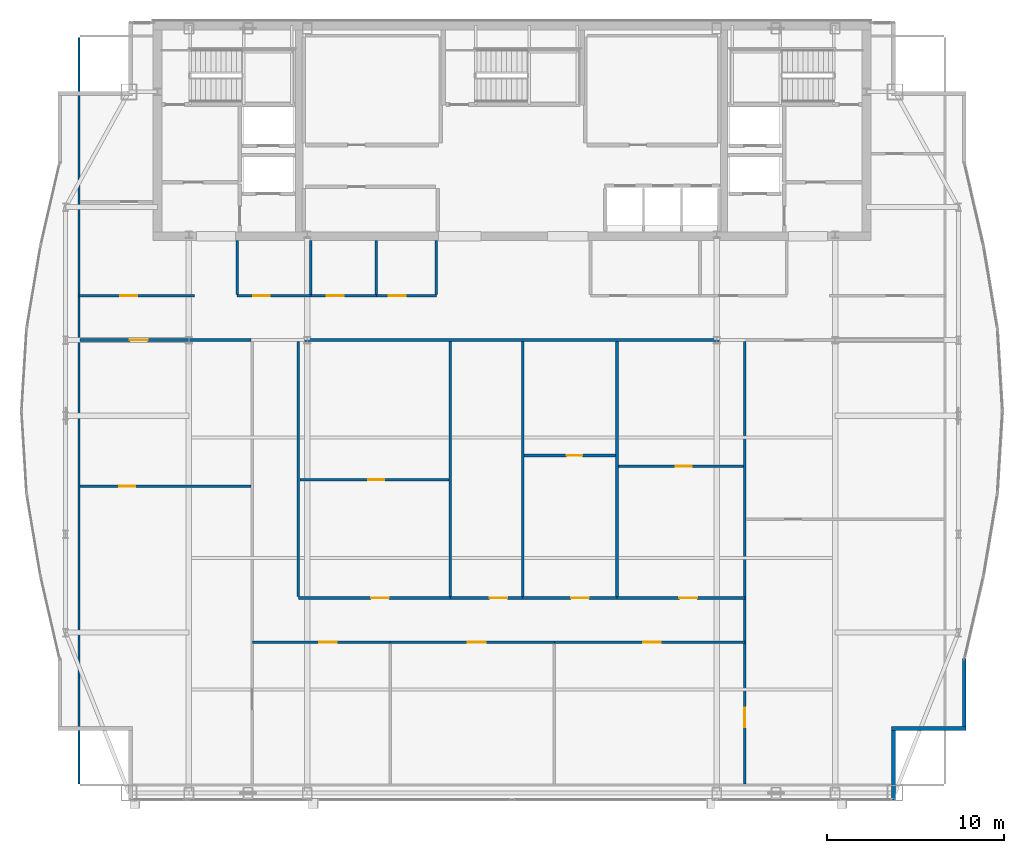
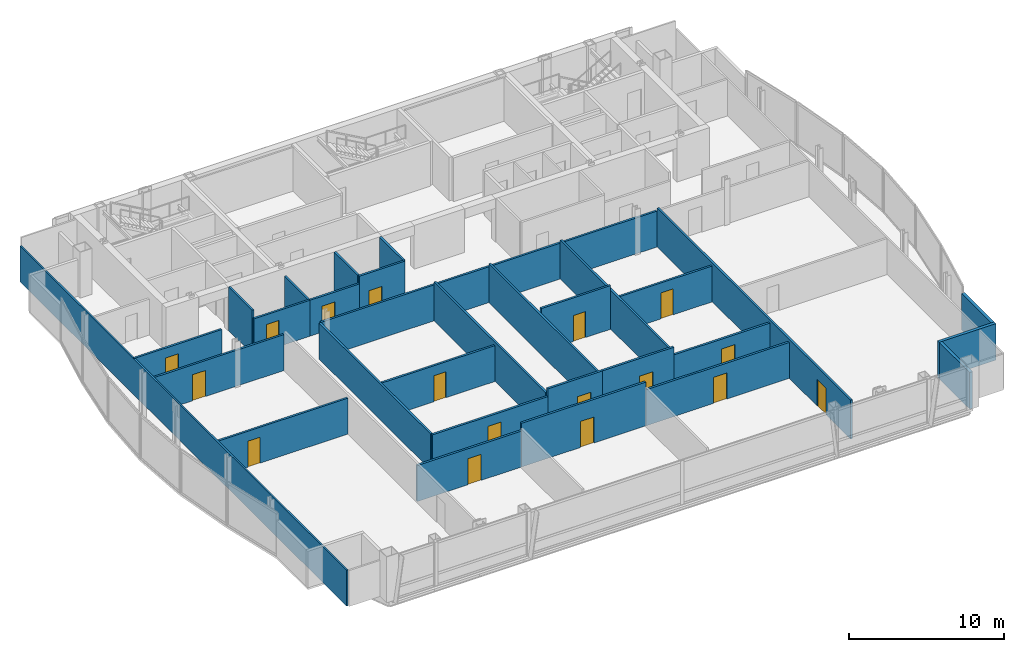
# One storey, part 24 of 29: 30 walls, 17 doors, 17 openings.
"""IFC4 building model written with IfcOpenShell, lengths in metres."""

import ifcopenshell
import ifcopenshell.guid

model = None  # the IFC model being written
_history = None  # IfcOwnerHistory: only IFC2X3 demands one
_inside = {}  # id of a spatial element -> (the spatial element, [elements in it])
_under = {}  # id of a project, library or spatial element -> (it, [spatial elements below it])
_declared = {}  # id of a project -> (the project, [libraries it declares])
_typed = {}  # id of a type object -> (the type object, [elements of that type])
_made_of = {}  # id of a material, layer set ... -> (it, [elements and type objects made of it])


def new_model(schema):
    """Start an empty IFC model of exactly this schema.

    Asked for "IFC4X3", IfcOpenShell would pick the latest addendum, in which some entities
    have other attributes; the version numbers below select the first issue.
    IFC2X3 requires an IfcOwnerHistory on every rooted entity: one is made here for all.
    """
    global model, _history
    if schema == "IFC4X3":
        model = ifcopenshell.file(schema_version=(4, 3, 0, 0))
    else:
        model = ifcopenshell.file(schema=schema)
    _inside.clear()
    _under.clear()
    _declared.clear()
    _typed.clear()
    _made_of.clear()
    _history = None
    if model.schema == "IFC2X3":
        org = make("IfcOrganization", Name="unknown")
        user = make(
            "IfcPersonAndOrganization",
            ThePerson=make("IfcPerson", FamilyName="unknown"),
            TheOrganization=org,
        )
        app = make(
            "IfcApplication",
            ApplicationDeveloper=org,
            Version="unknown",
            ApplicationFullName="unknown",
            ApplicationIdentifier="unknown",
        )
        _history = make(
            "IfcOwnerHistory",
            OwningUser=user,
            OwningApplication=app,
            ChangeAction="ADDED",
            CreationDate=0,
        )
    return model


def make(cls, **values):
    """One entity of the class cls with the attributes given. An attribute that is None is left unset."""
    return model.create_entity(
        cls, **{name: value for name, value in values.items() if value is not None}
    )


def rooted(cls, **values):
    """An entity with a GlobalId (a new one), such as an element, a storey or a relation."""
    return make(cls, GlobalId=ifcopenshell.guid.new(), OwnerHistory=_history, **values)


def si_unit(unit_type, name, prefix=None):
    """IfcSIUnit, for example si_unit("LENGTHUNIT", "METRE", prefix="MILLI")."""
    return make("IfcSIUnit", UnitType=unit_type, Prefix=prefix, Name=name)


def assignment(units):
    """IfcUnitAssignment: the units of a project."""
    return None if units is None else make("IfcUnitAssignment", Units=units)


def point(xyz):
    """IfcCartesianPoint."""
    return None if xyz is None else make("IfcCartesianPoint", Coordinates=xyz)


def direction(xyz):
    """IfcDirection."""
    return None if xyz is None else make("IfcDirection", DirectionRatios=xyz)


def frame(location, z_axis=None, x_axis=None):
    """IfcAxis2Placement3D, a coordinate frame: its origin and axes. An axis left out is left unset."""
    return make(
        "IfcAxis2Placement3D",
        Location=point(location),
        Axis=direction(z_axis),
        RefDirection=direction(x_axis),
    )


def frame_2d(location, x_axis=None):
    """IfcAxis2Placement2D, a coordinate frame in the plane: its origin and x axis."""
    return make(
        "IfcAxis2Placement2D", Location=point(location), RefDirection=direction(x_axis)
    )


def origin():
    """The frame at (0, 0, 0) with its axes left unset."""
    return frame((0.0, 0.0, 0.0))


def place(relative_to, where):
    """IfcLocalPlacement: puts the frame where relative to a parent placement (None: the world)."""
    return make(
        "IfcLocalPlacement", PlacementRelTo=relative_to, RelativePlacement=where
    )


def context(
    kind, dimensions, precision=None, world=None, true_north=None, identifier=None
):
    """IfcGeometricRepresentationContext, for example the 3D "Model" context."""
    return make(
        "IfcGeometricRepresentationContext",
        ContextIdentifier=identifier,
        ContextType=kind,
        CoordinateSpaceDimension=dimensions,
        Precision=precision,
        WorldCoordinateSystem=world,
        TrueNorth=true_north,
    )


def subcontext(parent, identifier, kind, view, scale=None):
    """IfcGeometricRepresentationSubContext, for example "Body" below "Model"."""
    return make(
        "IfcGeometricRepresentationSubContext",
        ContextIdentifier=identifier,
        ContextType=kind,
        ParentContext=parent,
        TargetScale=scale,
        TargetView=view,
    )


def project(units=None, contexts=None):
    """IfcProject with its units and contexts."""
    return rooted(
        "IfcProject",
        Name="project",
        RepresentationContexts=contexts,
        UnitsInContext=assignment(units),
    )


def spatial(cls, under=None, at=None, **own):
    """A site, building, storey or space (cls), placed at a placement, below another one or the project."""
    s = rooted(cls, ObjectPlacement=at, **own)
    if under is not None:
        _under.setdefault(under.id(), (under, []))[1].append(s)
    return s


def profile(cls, at=None, kind="AREA", **sizes):
    """A parametric profile (cls). Its sizes go by their IFC names, for example OverallWidth=200.0."""
    return make(cls, ProfileType=kind, Position=at, **sizes)


def rectangle(**sizes):
    """IfcRectangleProfileDef."""
    return profile("IfcRectangleProfileDef", **sizes)


def extrude(swept, where, along, depth):
    """IfcExtrudedAreaSolid: the profile swept, set in the frame where, extruded along a direction by depth."""
    return make(
        "IfcExtrudedAreaSolid",
        SweptArea=swept,
        Position=where,
        ExtrudedDirection=direction(along),
        Depth=depth,
    )


def shape(context_of_items, identifier, shape_type, items):
    """IfcShapeRepresentation: the items that make up one representation, for example the "Body"."""
    return make(
        "IfcShapeRepresentation",
        ContextOfItems=context_of_items,
        RepresentationIdentifier=identifier,
        RepresentationType=shape_type,
        Items=items,
    )


def material(Name=None, Category=None):
    """IfcMaterial."""
    return make("IfcMaterial", Name=Name, Category=Category)


def layer(
    of_material, thickness, ventilated=None, Name=None, Category=None, Priority=None
):
    """IfcMaterialLayer: one layer of a wall or slab, of a material (None: an air gap)."""
    return make(
        "IfcMaterialLayer",
        Material=of_material,
        LayerThickness=thickness,
        IsVentilated=ventilated,
        Name=Name,
        Category=Category,
        Priority=Priority,
    )


def layer_set(layers, Name=None):
    """IfcMaterialLayerSet."""
    return make("IfcMaterialLayerSet", MaterialLayers=layers, LayerSetName=Name)


def made_of(thing, what):
    """Note that an element or type object is made of a material, layer set ...; save() writes the relation."""
    if what is not None:
        _made_of.setdefault(what.id(), (what, []))[1].append(thing)
    return thing


def type_object(cls, material=None, **own):
    """A type object (cls), such as IfcWallType, which elements share."""
    return made_of(rooted(cls, **own), material)


def element(
    cls,
    number,
    at=None,
    inside=None,
    cuts=None,
    type_object=None,
    material=None,
    context=None,
    identifier="Body",
    shape_type=None,
    held_by="IfcProductDefinitionShape",
    body=None,
    shapes=None,
    **own,
):
    """One element of the class cls, such as IfcWall. Its Tag is "e" and its number.

    at: its placement. inside: the storey or other place that contains it. cuts: it is an
    opening in that element (IfcRelVoidsElement). A single representation is given by context,
    identifier, shape_type and body (its items); several are given by shapes. held_by: the class
    of the entity that holds the representations. save() writes the other relations.
    """
    e = rooted(cls, Tag="e%d" % number, ObjectPlacement=at, **own)
    if body is not None:
        shapes = [shape(context, identifier, shape_type, body)]
    if shapes is not None:
        e.Representation = make(held_by, Representations=shapes)
    if inside is not None:
        _inside.setdefault(inside.id(), (inside, []))[1].append(e)
    if cuts is not None:
        rooted(
            "IfcRelVoidsElement", RelatingBuildingElement=cuts, RelatedOpeningElement=e
        )
    if type_object is not None:
        _typed.setdefault(type_object.id(), (type_object, []))[1].append(e)
    return made_of(e, material)


def fill(opening, filler):
    """IfcRelFillsElement: the door or window that sits in an opening."""
    return rooted(
        "IfcRelFillsElement",
        RelatingOpeningElement=opening,
        RelatedBuildingElement=filler,
    )


def aggregate(whole, parts):
    """IfcRelAggregates: a whole, such as a stair, and the parts it consists of."""
    return rooted("IfcRelAggregates", RelatingObject=whole, RelatedObjects=parts)


def save(model, path):
    """Write the relations noted so far, then the file.

    IfcRelAggregates (storeys below a building ...), IfcRelContainedInSpatialStructure (elements
    in a storey), IfcRelDefinesByType, IfcRelAssociatesMaterial and IfcRelDeclares: one each for
    every whole, place, type object, material and project.
    """
    for whole, parts in _under.values():
        aggregate(whole, parts)
    for where, things in _inside.values():
        rooted(
            "IfcRelContainedInSpatialStructure",
            RelatedElements=things,
            RelatingStructure=where,
        )
    for kind, things in _typed.values():
        rooted("IfcRelDefinesByType", RelatedObjects=things, RelatingType=kind)
    for what, things in _made_of.values():
        rooted("IfcRelAssociatesMaterial", RelatedObjects=things, RelatingMaterial=what)
    for by, libraries in _declared.values():
        rooted("IfcRelDeclares", RelatingContext=by, RelatedDefinitions=libraries)
    model.write(path)


model = new_model("IFC4")

# Units and contexts
model_context = context("Model", 3, precision=1e-05, world=origin(), true_north=direction((0.0, 1.0)))
body_context = subcontext(model_context, "Body", "Model", "MODEL_VIEW")
ifc_project = project(units=[si_unit("LENGTHUNIT", "METRE"), si_unit("AREAUNIT", "SQUARE_METRE"), si_unit("VOLUMEUNIT", "CUBIC_METRE"), si_unit("PLANEANGLEUNIT", "RADIAN"), si_unit("MASSUNIT", "GRAM", prefix="KILO")], contexts=[model_context])

# Site, building, storey
site_placement = place(None, origin())
site = spatial("IfcSite", under=ifc_project, at=site_placement, CompositionType="ELEMENT")
building_placement = place(site_placement, origin())
building = spatial("IfcBuilding", under=site, at=building_placement, Name="Khoronbel Lancet Exchange", CompositionType="ELEMENT")
storey_placement = place(building_placement, frame((0.0, 0.0, 321.800048828125)))
storey = spatial("IfcBuildingStorey", under=building, at=storey_placement, Name="L83", CompositionType="ELEMENT", Elevation=321.800048828125)

# Walls
ifc_material_1 = material(Name="Precast concrete C40/50", Category="concrete")
ifc_layer_1 = layer(ifc_material_1, 0.25, Name="Precast concrete C40/50")
ifc_layer_set_1 = layer_set([ifc_layer_1], Name="Precast concrete C40/50")
wall_type_1 = type_object("IfcWallType", Name="WL-EXT250", PredefinedType="SOLIDWALL", material=ifc_layer_set_1)
wall_1_placement = place(storey_placement, frame((61.9599609375, 17.730224609375, 0.0), z_axis=(0.0, 0.0, 1.0), x_axis=(0.0, -1.0, 0.0)))
element("IfcWall", 1, at=wall_1_placement, inside=storey, type_object=wall_type_1, Name="Level L83 notched-corner limestone pier 23", PredefinedType="SOLIDWALL", context=body_context, shape_type="SweptSolid", body=[
    extrude(rectangle(XDim=3.830322265625, YDim=0.219970703125, at=frame_2d((1.9150390625, 0.0))), origin(), (0.0, 0.0, 1.0), 2.8798828125),
])
wall_2_placement = place(storey_placement, frame((62.070068359375, 13.7900390625, 0.0), z_axis=(0.0, 0.0, 1.0), x_axis=(-1.0, 0.0, 0.0)))
element("IfcWall", 2, at=wall_2_placement, inside=storey, type_object=wall_type_1, Name="Level L83 notched-corner limestone pier 24", PredefinedType="SOLIDWALL", context=body_context, shape_type="SweptSolid", body=[
    extrude(rectangle(XDim=4.219970703125, YDim=0.219970703125, at=frame_2d((2.10986328125, 0.0))), origin(), (0.0, 0.0, 1.0), 2.8798828125),
])
wall_3_placement = place(storey_placement, frame((57.9599609375, 13.679931640625, 0.0), z_axis=(0.0, 0.0, 1.0), x_axis=(0.0, -1.0, 0.0)))
element("IfcWall", 3, at=wall_3_placement, inside=storey, type_object=wall_type_1, Name="Level L83 notched-corner limestone pier 25", PredefinedType="SOLIDWALL", context=body_context, shape_type="SweptSolid", body=[
    extrude(rectangle(XDim=3.909912109375, YDim=0.219970703125, at=frame_2d((1.955078125, 0.0))), origin(), (0.0, 0.0, 1.0), 2.8798828125),
])
ifc_material_2 = material(Name="Acoustic Metal-Stud & Mineral-Wool Gypsum Partition 120 mm", Category="gypsum")
ifc_layer_2 = layer(ifc_material_2, 0.1201171875, Name="Acoustic Metal-Stud & Mineral-Wool Gypsum Partition 120 mm")
ifc_layer_set_2 = layer_set([ifc_layer_2], Name="Acoustic Metal-Stud & Mineral-Wool Gypsum Partition 120 mm")
wall_type_2 = type_object("IfcWallType", Name="WL-PRT120", PredefinedType="PARTITIONING", material=ifc_layer_set_2)
wall_4_placement = place(storey_placement, frame((20.949951171875, 38.280029296875, 0.0), z_axis=(0.0, 0.0, 1.0), x_axis=(0.0, 1.0, 0.0)))
element("IfcWall", 4, at=wall_4_placement, inside=storey, type_object=wall_type_2, Name="Level L83 interior partition PW-WC-0", PredefinedType="PARTITIONING", context=body_context, shape_type="SweptSolid", body=[
    extrude(rectangle(XDim=3.02001953125, YDim=0.14990234375, at=frame_2d((1.510009765625, 0.0))), origin(), (0.0, 0.0, 1.0), 3.43994140625),
])
wall_5_placement = place(storey_placement, frame((25.10009765625, 38.280029296875, 0.0), z_axis=(0.0, 0.0, 1.0), x_axis=(0.0, 1.0, 0.0)))
element("IfcWall", 5, at=wall_5_placement, inside=storey, type_object=wall_type_2, Name="Level L83 interior partition PW-WC-1", PredefinedType="PARTITIONING", context=body_context, shape_type="SweptSolid", body=[
    extrude(rectangle(XDim=3.02001953125, YDim=0.14990234375, at=frame_2d((1.510009765625, 0.0))), origin(), (0.0, 0.0, 1.0), 2.829833984375),
])
for number, where, z_axis, x_axis, name in (
    (6, (28.800048828125, 38.280029296875, 0.0), (0.0, 0.0, 1.0), (0.0, 1.0, 0.0), "Level L83 interior partition PW-WC-2"),
    (7, (32.179931640625, 38.280029296875, 0.0), (0.0, 0.0, 1.0), (0.0, 1.0, 0.0), "Level L83 interior partition PW-WC-3"),
):
    element("IfcWall", number, at=place(storey_placement, frame(where, z_axis=z_axis, x_axis=x_axis)), inside=storey, type_object=wall_type_2, Name=name, PredefinedType="PARTITIONING", context=body_context, shape_type="SweptSolid", body=[
        extrude(rectangle(XDim=3.02001953125, YDim=0.14990234375, at=frame_2d((1.510009765625, 0.0))), origin(), (0.0, 0.0, 1.0), 3.43994140625),
    ])

# Wall, opening, door
wall_6_placement = place(storey_placement, frame((12.094970703125, 27.449951171875, 0.0), z_axis=(0.0, 0.0, 1.0), x_axis=(1.0, 0.0, 0.0)))
wall_6 = element("IfcWall", 8, at=wall_6_placement, inside=storey, type_object=wall_type_2, Name="Level L83 interior partition PW-Z4-WH", PredefinedType="PARTITIONING", context=body_context, shape_type="SweptSolid", body=[
    extrude(rectangle(XDim=9.625, YDim=0.14990234375, at=frame_2d((4.8125, 0.0))), origin(), (0.0, 0.0, 1.0), 2.829833984375),
])
opening_1_placement = place(wall_6_placement, frame((2.199951171875, 0.0, 0.0)))
opening_1 = element("IfcOpeningElement", 9, at=opening_1_placement, cuts=wall_6, Name="Opening D5", PredefinedType="OPENING", context=body_context, shape_type="SweptSolid", body=[
    extrude(rectangle(XDim=0.89990234375, YDim=2.050048828125, at=frame_2d((0.449951171875, 1.02490234375))), frame((0.0, 0.0849609375, 0.0), z_axis=(0.0, -1.0, 0.0), x_axis=(1.0, 0.0, 0.0)), (0.0, 0.0, 1.0), 0.169921875),
])
ifc_material_3 = material(Name="Acoustic Timber Pantry & Support Door", Category="wood")
door_type_1 = type_object("IfcDoorType", Name="DR-D5", OperationType="NOTDEFINED", PredefinedType="DOOR", material=ifc_material_3)
door_1_placement = place(opening_1_placement, origin())
door_1 = element("IfcDoor", 10, at=door_1_placement, inside=storey, type_object=door_type_1, Name="West lens inner door L83-1", OperationType="SINGLE_SWING_LEFT", OverallHeight=2.050048828125, OverallWidth=0.89990234375, PredefinedType="DOOR", context=body_context, shape_type="SweptSolid", body=[
    extrude(rectangle(XDim=0.89990234375, YDim=2.050048828125, at=frame_2d((0.449951171875, 1.02490234375))), frame((0.0, 0.02490234375, 0.0), z_axis=(0.0, -1.0, 0.0), x_axis=(1.0, 0.0, 0.0)), (0.0, 0.0, 1.0), 0.050048828125),
])
fill(opening_1, door_1)

wall_7_placement = place(storey_placement, frame((24.47998046875, 27.82861328125, 0.0), z_axis=(0.0, 0.0, 1.0), x_axis=(1.0, 0.0, 0.0)))
wall_7 = element("IfcWall", 11, at=wall_7_placement, inside=storey, type_object=wall_type_2, Name="Level L83 interior partition PW-Z4C-H1", PredefinedType="PARTITIONING", context=body_context, shape_type="SweptSolid", body=[
    extrude(rectangle(XDim=8.411865234375, YDim=0.14990234375, at=frame_2d((4.2060546875, 0.0))), origin(), (0.0, 0.0, 1.0), 2.829833984375),
])
opening_2_placement = place(wall_7_placement, frame((3.857421875, 0.0, 0.0)))
opening_2 = element("IfcOpeningElement", 12, at=opening_2_placement, cuts=wall_7, Name="Opening D5", PredefinedType="OPENING", context=body_context, shape_type="SweptSolid", body=[
    extrude(rectangle(XDim=0.89990234375, YDim=2.050048828125, at=frame_2d((0.449951171875, 1.02490234375))), frame((0.0, 0.0849609375, 0.0), z_axis=(0.0, -1.0, 0.0), x_axis=(1.0, 0.0, 0.0)), (0.0, 0.0, 1.0), 0.169921875),
])
door_2_placement = place(opening_2_placement, origin())
door_2 = element("IfcDoor", 13, at=door_2_placement, inside=storey, type_object=door_type_1, Name="Z4C inner door 1 L83-1", OperationType="SINGLE_SWING_RIGHT", OverallHeight=2.050048828125, OverallWidth=0.89990234375, PredefinedType="DOOR", context=body_context, shape_type="SweptSolid", body=[
    extrude(rectangle(XDim=0.89990234375, YDim=2.050048828125, at=frame_2d((0.449951171875, 1.02490234375))), frame((0.0, 0.02490234375, 0.0), z_axis=(0.0, -1.0, 0.0), x_axis=(1.0, 0.0, 0.0)), (0.0, 0.0, 1.0), 0.050048828125),
])
fill(opening_2, door_2)

wall_8_placement = place(storey_placement, frame((37.1318359375, 29.18408203125, 0.0), z_axis=(0.0, 0.0, 1.0), x_axis=(1.0, 0.0, 0.0)))
wall_8 = element("IfcWall", 14, at=wall_8_placement, inside=storey, type_object=wall_type_2, Name="Level L83 interior partition PW-Z4C-H3", PredefinedType="PARTITIONING", context=body_context, shape_type="SweptSolid", body=[
    extrude(rectangle(XDim=5.15625, YDim=0.14990234375, at=frame_2d((2.578125, 0.0))), origin(), (0.0, 0.0, 1.0), 3.43994140625),
])
opening_3_placement = place(wall_8_placement, frame((2.392333984375, 0.0, 0.0)))
opening_3 = element("IfcOpeningElement", 15, at=opening_3_placement, cuts=wall_8, Name="Opening D5", PredefinedType="OPENING", context=body_context, shape_type="SweptSolid", body=[
    extrude(rectangle(XDim=0.89990234375, YDim=2.050048828125, at=frame_2d((0.449951171875, 1.02490234375))), frame((0.0, 0.0849609375, 0.0), z_axis=(0.0, -1.0, 0.0), x_axis=(1.0, 0.0, 0.0)), (0.0, 0.0, 1.0), 0.169921875),
])
door_3_placement = place(opening_3_placement, origin())
door_3 = element("IfcDoor", 16, at=door_3_placement, inside=storey, type_object=door_type_1, Name="Z4C inner door 3 L83-1", OperationType="SINGLE_SWING_LEFT", OverallHeight=2.050048828125, OverallWidth=0.89990234375, PredefinedType="DOOR", context=body_context, shape_type="SweptSolid", body=[
    extrude(rectangle(XDim=0.89990234375, YDim=2.050048828125, at=frame_2d((0.449951171875, 1.02490234375))), frame((0.0, 0.02490234375, 0.0), z_axis=(0.0, -1.0, 0.0), x_axis=(1.0, 0.0, 0.0)), (0.0, 0.0, 1.0), 0.050048828125),
])
fill(opening_3, door_3)

wall_9_placement = place(storey_placement, frame((42.447998046875, 28.572265625, 0.0), z_axis=(0.0, 0.0, 1.0), x_axis=(1.0, 0.0, 0.0)))
wall_9 = element("IfcWall", 17, at=wall_9_placement, inside=storey, type_object=wall_type_2, Name="Level L83 interior partition PW-Z4C-H4", PredefinedType="PARTITIONING", context=body_context, shape_type="SweptSolid", body=[
    extrude(rectangle(XDim=7.052001953125, YDim=0.14990234375, at=frame_2d((3.52587890625, 0.0))), origin(), (0.0, 0.0, 1.0), 2.829833984375),
])
opening_4_placement = place(wall_9_placement, frame((3.245361328125, 0.0, 0.0)))
opening_4 = element("IfcOpeningElement", 18, at=opening_4_placement, cuts=wall_9, Name="Opening D5", PredefinedType="OPENING", context=body_context, shape_type="SweptSolid", body=[
    extrude(rectangle(XDim=0.89990234375, YDim=2.050048828125, at=frame_2d((0.449951171875, 1.02490234375))), frame((0.0, 0.0849609375, 0.0), z_axis=(0.0, -1.0, 0.0), x_axis=(1.0, 0.0, 0.0)), (0.0, 0.0, 1.0), 0.169921875),
])
door_4_placement = place(opening_4_placement, origin())
door_4 = element("IfcDoor", 19, at=door_4_placement, inside=storey, type_object=door_type_1, Name="Z4C inner door 4 L83-1", OperationType="SINGLE_SWING_LEFT", OverallHeight=2.050048828125, OverallWidth=0.89990234375, PredefinedType="DOOR", context=body_context, shape_type="SweptSolid", body=[
    extrude(rectangle(XDim=0.89990234375, YDim=2.050048828125, at=frame_2d((0.449951171875, 1.02490234375))), frame((0.0, 0.02490234375, 0.0), z_axis=(0.0, -1.0, 0.0), x_axis=(1.0, 0.0, 0.0)), (0.0, 0.0, 1.0), 0.050048828125),
])
fill(opening_4, door_4)

# Wall
wall_10_placement = place(storey_placement, frame((12.030029296875, 10.6650390625, 0.0), z_axis=(0.0, 0.0, 1.0), x_axis=(0.0, 1.0, 0.0)))
element("IfcWall", 20, at=wall_10_placement, inside=storey, type_object=wall_type_2, Name="Level L83 interior partition PW-LIN-W", PredefinedType="PARTITIONING", context=body_context, shape_type="SweptSolid", body=[
    extrude(rectangle(XDim=42.10986328125, YDim=0.1201171875, at=frame_2d((21.054931640625, 0.0))), origin(), (0.0, 0.0, 1.0), 2.829833984375),
])

# Wall, opening, door
ifc_material_4 = material(Name="Fire-Rated Twin-Stud Acoustic Gypsum Partition 150 mm", Category="gypsum")
ifc_layer_3 = layer(ifc_material_4, 0.14990234375, Name="Fire-Rated Twin-Stud Acoustic Gypsum Partition 150 mm")
ifc_layer_set_3 = layer_set([ifc_layer_3], Name="Fire-Rated Twin-Stud Acoustic Gypsum Partition 150 mm")
wall_type_3 = type_object("IfcWallType", Name="WL-PRT150C", PredefinedType="PARTITIONING", material=ifc_layer_set_3)
wall_11_placement = place(storey_placement, frame((20.949951171875, 38.199951171875, 0.0), z_axis=(0.0, 0.0, 1.0), x_axis=(1.0, 0.0, 0.0)))
wall_11 = element("IfcWall", 21, at=wall_11_placement, inside=storey, type_object=wall_type_3, Name="Level L83 interior partition PW-WC-S1", PredefinedType="PARTITIONING", context=body_context, shape_type="SweptSolid", body=[
    extrude(rectangle(XDim=4.150146484375, YDim=0.14990234375, at=frame_2d((2.0751953125, 0.0))), origin(), (0.0, 0.0, 1.0), 2.829833984375),
])
opening_5_placement = place(wall_11_placement, frame((0.89990234375, 0.0, 0.0)))
opening_5 = element("IfcOpeningElement", 22, at=opening_5_placement, cuts=wall_11, Name="Opening D4", PredefinedType="OPENING", context=body_context, shape_type="SweptSolid", body=[
    extrude(rectangle(XDim=0.949951171875, YDim=2.050048828125, at=frame_2d((0.47509765625, 1.02490234375))), frame((0.0, 0.0849609375, 0.0), z_axis=(0.0, -1.0, 0.0), x_axis=(1.0, 0.0, 0.0)), (0.0, 0.0, 1.0), 0.169921875),
])
ifc_material_5 = material(Name="Moisture-Resistant HPL Washroom Door", Category="wood")
door_type_2 = type_object("IfcDoorType", Name="DR-D4", OperationType="NOTDEFINED", PredefinedType="DOOR", material=ifc_material_5)
door_5_placement = place(opening_5_placement, origin())
door_5 = element("IfcDoor", 23, at=door_5_placement, inside=storey, type_object=door_type_2, Name="Male washroom door L83-1", OperationType="SINGLE_SWING_RIGHT", OverallHeight=2.050048828125, OverallWidth=0.949951171875, PredefinedType="DOOR", context=body_context, shape_type="SweptSolid", body=[
    extrude(rectangle(XDim=0.949951171875, YDim=2.050048828125, at=frame_2d((0.47509765625, 1.02490234375))), frame((0.0, 0.02490234375, 0.0), z_axis=(0.0, -1.0, 0.0), x_axis=(1.0, 0.0, 0.0)), (0.0, 0.0, 1.0), 0.050048828125),
])
fill(opening_5, door_5)

wall_12_placement = place(storey_placement, frame((25.10009765625, 38.199951171875, 0.0), z_axis=(0.0, 0.0, 1.0), x_axis=(1.0, 0.0, 0.0)))
wall_12 = element("IfcWall", 24, at=wall_12_placement, inside=storey, type_object=wall_type_3, Name="Level L83 interior partition PW-WC-S2", PredefinedType="PARTITIONING", context=body_context, shape_type="SweptSolid", body=[
    extrude(rectangle(XDim=3.699951171875, YDim=0.14990234375, at=frame_2d((1.85009765625, 0.0))), origin(), (0.0, 0.0, 1.0), 2.829833984375),
])
opening_6_placement = place(wall_12_placement, frame((0.89990234375, 0.0, 0.0)))
opening_6 = element("IfcOpeningElement", 25, at=opening_6_placement, cuts=wall_12, Name="Opening D4", PredefinedType="OPENING", context=body_context, shape_type="SweptSolid", body=[
    extrude(rectangle(XDim=0.949951171875, YDim=2.050048828125, at=frame_2d((0.47509765625, 1.02490234375))), frame((0.0, 0.0849609375, 0.0), z_axis=(0.0, -1.0, 0.0), x_axis=(1.0, 0.0, 0.0)), (0.0, 0.0, 1.0), 0.169921875),
])
door_6_placement = place(opening_6_placement, origin())
door_6 = element("IfcDoor", 26, at=door_6_placement, inside=storey, type_object=door_type_2, Name="Female washroom door L83-1", OperationType="SINGLE_SWING_LEFT", OverallHeight=2.050048828125, OverallWidth=0.949951171875, PredefinedType="DOOR", context=body_context, shape_type="SweptSolid", body=[
    extrude(rectangle(XDim=0.949951171875, YDim=2.050048828125, at=frame_2d((0.47509765625, 1.02490234375))), frame((0.0, 0.02490234375, 0.0), z_axis=(0.0, -1.0, 0.0), x_axis=(1.0, 0.0, 0.0)), (0.0, 0.0, 1.0), 0.050048828125),
])
fill(opening_6, door_6)

wall_13_placement = place(storey_placement, frame((28.800048828125, 38.199951171875, 0.0), z_axis=(0.0, 0.0, 1.0), x_axis=(1.0, 0.0, 0.0)))
wall_13 = element("IfcWall", 27, at=wall_13_placement, inside=storey, type_object=wall_type_3, Name="Level L83 interior partition PW-WC-S3", PredefinedType="PARTITIONING", context=body_context, shape_type="SweptSolid", body=[
    extrude(rectangle(XDim=3.3798828125, YDim=0.14990234375, at=frame_2d((1.68994140625, 0.0))), origin(), (0.0, 0.0, 1.0), 3.43994140625),
])
opening_7_placement = place(wall_13_placement, frame((0.699951171875, 0.0, 0.0)))
opening_7 = element("IfcOpeningElement", 28, at=opening_7_placement, cuts=wall_13, Name="Opening D4", PredefinedType="OPENING", context=body_context, shape_type="SweptSolid", body=[
    extrude(rectangle(XDim=0.949951171875, YDim=2.050048828125, at=frame_2d((0.47509765625, 1.02490234375))), frame((0.0, 0.0849609375, 0.0), z_axis=(0.0, -1.0, 0.0), x_axis=(1.0, 0.0, 0.0)), (0.0, 0.0, 1.0), 0.169921875),
])
door_7_placement = place(opening_7_placement, origin())
door_7 = element("IfcDoor", 29, at=door_7_placement, inside=storey, type_object=door_type_2, Name="Accessible WC door L83-1", OperationType="SINGLE_SWING_RIGHT", OverallHeight=2.050048828125, OverallWidth=0.949951171875, PredefinedType="DOOR", context=body_context, shape_type="SweptSolid", body=[
    extrude(rectangle(XDim=0.949951171875, YDim=2.050048828125, at=frame_2d((0.47509765625, 1.02490234375))), frame((0.0, 0.02490234375, 0.0), z_axis=(0.0, -1.0, 0.0), x_axis=(1.0, 0.0, 0.0)), (0.0, 0.0, 1.0), 0.050048828125),
])
fill(opening_7, door_7)

wall_14_placement = place(storey_placement, frame((12.030029296875, 38.199951171875, 0.0), z_axis=(0.0, 0.0, 1.0), x_axis=(1.0, 0.0, 0.0)))
wall_14 = element("IfcWall", 30, at=wall_14_placement, inside=storey, type_object=wall_type_3, Name="Level L83 interior partition PW-NW-S", PredefinedType="PARTITIONING", context=body_context, shape_type="SweptSolid", body=[
    extrude(rectangle(XDim=6.52001953125, YDim=0.14990234375, at=frame_2d((3.260009765625, 0.0))), origin(), (0.0, 0.0, 1.0), 2.829833984375),
])
opening_8_placement = place(wall_14_placement, frame((2.320068359375, 0.0, 0.0)))
opening_8 = element("IfcOpeningElement", 31, at=opening_8_placement, cuts=wall_14, Name="Opening D1", PredefinedType="OPENING", context=body_context, shape_type="SweptSolid", body=[
    extrude(rectangle(XDim=0.949951171875, YDim=2.050048828125, at=frame_2d((0.47509765625, 1.02490234375))), frame((0.0, 0.0849609375, 0.0), z_axis=(0.0, -1.0, 0.0), x_axis=(1.0, 0.0, 0.0)), (0.0, 0.0, 1.0), 0.169921875),
])
ifc_material_6 = material(Name="Acoustic Veneered Timber & Bronze Frame Door", Category="wood")
door_type_3 = type_object("IfcDoorType", Name="DR-D1", OperationType="NOTDEFINED", PredefinedType="DOOR", material=ifc_material_6)
door_8_placement = place(opening_8_placement, origin())
door_8 = element("IfcDoor", 32, at=door_8_placement, inside=storey, type_object=door_type_3, Name="NW corner room door L83-1", OperationType="SINGLE_SWING_LEFT", OverallHeight=2.050048828125, OverallWidth=0.949951171875, PredefinedType="DOOR", context=body_context, shape_type="SweptSolid", body=[
    extrude(rectangle(XDim=0.949951171875, YDim=2.050048828125, at=frame_2d((0.47509765625, 1.02490234375))), frame((0.0, 0.02490234375, 0.0), z_axis=(0.0, -1.0, 0.0), x_axis=(1.0, 0.0, 0.0)), (0.0, 0.0, 1.0), 0.050048828125),
])
fill(opening_8, door_8)

wall_15_placement = place(storey_placement, frame((12.094970703125, 35.699951171875, 0.0), z_axis=(0.0, 0.0, 1.0), x_axis=(1.0, 0.0, 0.0)))
wall_15 = element("IfcWall", 33, at=wall_15_placement, inside=storey, type_object=wall_type_3, Name="Level L83 interior partition PW-Z4-WN", PredefinedType="PARTITIONING", context=body_context, shape_type="SweptSolid", body=[
    extrude(rectangle(XDim=9.625, YDim=0.14990234375, at=frame_2d((4.8125, 0.0))), origin(), (0.0, 0.0, 1.0), 2.829833984375),
])
opening_9_placement = place(wall_15_placement, frame((2.800048828125, 0.0, 0.0)))
opening_9 = element("IfcOpeningElement", 34, at=opening_9_placement, cuts=wall_15, Name="Opening D2", PredefinedType="OPENING", context=body_context, shape_type="SweptSolid", body=[
    extrude(rectangle(XDim=1.0, YDim=2.050048828125, at=frame_2d((0.5, 1.02490234375))), frame((0.0, 0.0849609375, 0.0), z_axis=(0.0, -1.0, 0.0), x_axis=(1.0, 0.0, 0.0)), (0.0, 0.0, 1.0), 0.169921875),
])
door_type_4 = type_object("IfcDoorType", Name="DR-D2", OperationType="NOTDEFINED", PredefinedType="DOOR", material=ifc_material_6)
door_9_placement = place(opening_9_placement, origin())
door_9 = element("IfcDoor", 35, at=door_9_placement, inside=storey, type_object=door_type_4, Name="West lens north door L83-1", OperationType="SINGLE_SWING_RIGHT", OverallHeight=2.050048828125, OverallWidth=1.0, PredefinedType="DOOR", context=body_context, shape_type="SweptSolid", body=[
    extrude(rectangle(XDim=1.0, YDim=2.050048828125, at=frame_2d((0.5, 1.02490234375))), frame((0.0, 0.02490234375, 0.0), z_axis=(0.0, -1.0, 0.0), x_axis=(1.0, 0.0, 0.0)), (0.0, 0.0, 1.0), 0.050048828125),
])
fill(opening_9, door_9)

# Wall
wall_16_placement = place(storey_placement, frame((24.39990234375, 21.235107421875, 0.0), z_axis=(0.0, 0.0, 1.0), x_axis=(0.0, 1.0, 0.0)))
element("IfcWall", 36, at=wall_16_placement, inside=storey, type_object=wall_type_3, Name="Level L83 interior partition PW-Z4-WE", PredefinedType="PARTITIONING", context=body_context, shape_type="SweptSolid", body=[
    extrude(rectangle(XDim=14.385009765625, YDim=0.14990234375, at=frame_2d((7.1923828125, 0.0))), origin(), (0.0, 0.0, 1.0), 2.829833984375),
])

# Wall, opening, door
wall_17_placement = place(storey_placement, frame((49.580078125, 10.6650390625, 0.0), z_axis=(0.0, 0.0, 1.0), x_axis=(0.0, 1.0, 0.0)))
wall_17 = element("IfcWall", 37, at=wall_17_placement, inside=storey, type_object=wall_type_3, Name="Level L83 interior partition PW-Z4-PE", PredefinedType="PARTITIONING", context=body_context, shape_type="SweptSolid", body=[
    extrude(rectangle(XDim=24.955078125, YDim=0.14990234375, at=frame_2d((12.4775390625, 0.0))), origin(), (0.0, 0.0, 1.0), 3.070068359375),
])
opening_10_placement = place(wall_17_placement, frame((3.199951171875, 0.0, 0.0)))
opening_10 = element("IfcOpeningElement", 38, at=opening_10_placement, cuts=wall_17, Name="Opening D6", PredefinedType="OPENING", context=body_context, shape_type="SweptSolid", body=[
    extrude(rectangle(XDim=1.10009765625, YDim=2.10009765625, at=frame_2d((0.550048828125, 1.050048828125))), frame((0.0, 0.0849609375, 0.0), z_axis=(0.0, -1.0, 0.0), x_axis=(1.0, 0.0, 0.0)), (0.0, 0.0, 1.0), 0.169921875),
])
ifc_material_7 = material(Name="Acoustic Bronze-Veneer Executive Suite Door", Category="wood")
door_type_5 = type_object("IfcDoorType", Name="DR-D6", OperationType="NOTDEFINED", PredefinedType="DOOR", material=ifc_material_7)
door_10_placement = place(opening_10_placement, origin())
door_10 = element("IfcDoor", 39, at=door_10_placement, inside=storey, type_object=door_type_5, Name="East lens south door L83-1", OperationType="SINGLE_SWING_RIGHT", OverallHeight=2.10009765625, OverallWidth=1.10009765625, PredefinedType="DOOR", context=body_context, shape_type="SweptSolid", body=[
    extrude(rectangle(XDim=1.10009765625, YDim=2.10009765625, at=frame_2d((0.550048828125, 1.050048828125))), frame((0.0, 0.02490234375, 0.0), z_axis=(0.0, -1.0, 0.0), x_axis=(1.0, 0.0, 0.0)), (0.0, 0.0, 1.0), 0.050048828125),
])
fill(opening_10, door_10)

# Walls
wall_18_placement = place(storey_placement, frame((24.47998046875, 35.699951171875, 0.0), z_axis=(0.0, 0.0, 1.0), x_axis=(1.0, 0.0, 0.0)))
element("IfcWall", 40, at=wall_18_placement, inside=storey, type_object=wall_type_3, Name="Level L83 interior partition PW-Z4-EN1", PredefinedType="PARTITIONING", context=body_context, shape_type="SweptSolid", body=[
    extrude(rectangle(XDim=25.02001953125, YDim=0.14990234375, at=frame_2d((12.510009765625, 0.0))), origin(), (0.0, 0.0, 1.0), 2.829833984375),
])
for number, where, z_axis, x_axis, name in (
    (41, (32.971923828125, 21.235107421875, 0.0), (0.0, 0.0, 1.0), (0.0, 1.0, 0.0), "Level L83 interior partition PW-Z4C-V1"),
    (42, (37.0517578125, 21.235107421875, 0.0), (0.0, 0.0, 1.0), (0.0, 1.0, 0.0), "Level L83 interior partition PW-Z4C-V2"),
    (43, (42.3681640625, 21.235107421875, 0.0), (0.0, 0.0, 1.0), (0.0, 1.0, 0.0), "Level L83 interior partition PW-Z4C-V3"),
):
    element("IfcWall", number, at=place(storey_placement, frame(where, z_axis=z_axis, x_axis=x_axis)), inside=storey, type_object=wall_type_3, Name=name, PredefinedType="PARTITIONING", context=body_context, shape_type="SweptSolid", body=[
        extrude(rectangle(XDim=14.385009765625, YDim=0.14990234375, at=frame_2d((7.1923828125, 0.0))), origin(), (0.0, 0.0, 1.0), 3.070068359375),
    ])

# Wall, opening, door
ifc_material_8 = material(Name="Fire-Rated Twin-Stud Acoustic Gypsum Partition 160 mm", Category="gypsum")
ifc_layer_4 = layer(ifc_material_8, 0.159912109375, Name="Fire-Rated Twin-Stud Acoustic Gypsum Partition 160 mm")
ifc_layer_set_4 = layer_set([ifc_layer_4], Name="Fire-Rated Twin-Stud Acoustic Gypsum Partition 160 mm")
wall_type_4 = type_object("IfcWallType", Name="WL-PRT160C", PredefinedType="PARTITIONING", material=ifc_layer_set_4)
wall_19_placement = place(storey_placement, frame((24.39990234375, 21.14990234375, 0.0), z_axis=(0.0, 0.0, 1.0), x_axis=(1.0, 0.0, 0.0)))
wall_19 = element("IfcWall", 44, at=wall_19_placement, inside=storey, type_object=wall_type_4, Name="Level L83 interior partition PW-Z4C-COR1", PredefinedType="PARTITIONING", context=body_context, shape_type="SweptSolid", body=[
    extrude(rectangle(XDim=8.572021484375, YDim=0.159912109375, at=frame_2d((4.2861328125, 0.0))), origin(), (0.0, 0.0, 1.0), 2.829833984375),
])
opening_11_placement = place(wall_19_placement, frame((4.10009765625, 0.0, 0.0)))
opening_11 = element("IfcOpeningElement", 45, at=opening_11_placement, cuts=wall_19, Name="Opening D2", PredefinedType="OPENING", context=body_context, shape_type="SweptSolid", body=[
    extrude(rectangle(XDim=1.0, YDim=2.050048828125, at=frame_2d((0.5, 1.02490234375))), frame((0.0, 0.08984375, 0.0), z_axis=(0.0, -1.0, 0.0), x_axis=(1.0, 0.0, 0.0)), (0.0, 0.0, 1.0), 0.179931640625),
])
door_11_placement = place(opening_11_placement, origin())
door_11 = element("IfcDoor", 46, at=door_11_placement, inside=storey, type_object=door_type_4, Name="Z4C bay 1 door L83-1", OperationType="SINGLE_SWING_LEFT", OverallHeight=2.050048828125, OverallWidth=1.0, PredefinedType="DOOR", context=body_context, shape_type="SweptSolid", body=[
    extrude(rectangle(XDim=1.0, YDim=2.050048828125, at=frame_2d((0.5, 1.02490234375))), frame((0.0, 0.02490234375, 0.0), z_axis=(0.0, -1.0, 0.0), x_axis=(1.0, 0.0, 0.0)), (0.0, 0.0, 1.0), 0.050048828125),
])
fill(opening_11, door_11)

wall_20_placement = place(storey_placement, frame((32.971923828125, 21.14990234375, 0.0), z_axis=(0.0, 0.0, 1.0), x_axis=(1.0, 0.0, 0.0)))
wall_20 = element("IfcWall", 47, at=wall_20_placement, inside=storey, type_object=wall_type_4, Name="Level L83 interior partition PW-Z4C-COR2", PredefinedType="PARTITIONING", context=body_context, shape_type="SweptSolid", body=[
    extrude(rectangle(XDim=4.079833984375, YDim=0.159912109375, at=frame_2d((2.0400390625, 0.0))), origin(), (0.0, 0.0, 1.0), 3.43994140625),
])
opening_12_placement = place(wall_20_placement, frame((2.213623046875, 0.0, 0.0)))
opening_12 = element("IfcOpeningElement", 48, at=opening_12_placement, cuts=wall_20, Name="Opening D2", PredefinedType="OPENING", context=body_context, shape_type="SweptSolid", body=[
    extrude(rectangle(XDim=1.0, YDim=2.050048828125, at=frame_2d((0.5, 1.02490234375))), frame((0.0, 0.08984375, 0.0), z_axis=(0.0, -1.0, 0.0), x_axis=(1.0, 0.0, 0.0)), (0.0, 0.0, 1.0), 0.179931640625),
])
door_12_placement = place(opening_12_placement, origin())
door_12 = element("IfcDoor", 49, at=door_12_placement, inside=storey, type_object=door_type_4, Name="Z4C bay 2 door L83-1", OperationType="SINGLE_SWING_LEFT", OverallHeight=2.050048828125, OverallWidth=1.0, PredefinedType="DOOR", context=body_context, shape_type="SweptSolid", body=[
    extrude(rectangle(XDim=1.0, YDim=2.050048828125, at=frame_2d((0.5, 1.02490234375))), frame((0.0, 0.02490234375, 0.0), z_axis=(0.0, -1.0, 0.0), x_axis=(1.0, 0.0, 0.0)), (0.0, 0.0, 1.0), 0.050048828125),
])
fill(opening_12, door_12)

wall_21_placement = place(storey_placement, frame((37.0517578125, 21.14990234375, 0.0), z_axis=(0.0, 0.0, 1.0), x_axis=(1.0, 0.0, 0.0)))
wall_21 = element("IfcWall", 50, at=wall_21_placement, inside=storey, type_object=wall_type_4, Name="Level L83 interior partition PW-Z4C-COR3", PredefinedType="PARTITIONING", context=body_context, shape_type="SweptSolid", body=[
    extrude(rectangle(XDim=5.31640625, YDim=0.159912109375, at=frame_2d((2.658203125, 0.0))), origin(), (0.0, 0.0, 1.0), 3.43994140625),
])
opening_13_placement = place(wall_21_placement, frame((2.73291015625, 0.0, 0.0)))
opening_13 = element("IfcOpeningElement", 51, at=opening_13_placement, cuts=wall_21, Name="Opening D2", PredefinedType="OPENING", context=body_context, shape_type="SweptSolid", body=[
    extrude(rectangle(XDim=1.0, YDim=2.050048828125, at=frame_2d((0.5, 1.02490234375))), frame((0.0, 0.08984375, 0.0), z_axis=(0.0, -1.0, 0.0), x_axis=(1.0, 0.0, 0.0)), (0.0, 0.0, 1.0), 0.179931640625),
])
door_13_placement = place(opening_13_placement, origin())
door_13 = element("IfcDoor", 52, at=door_13_placement, inside=storey, type_object=door_type_4, Name="Z4C bay 3 door L83-1", OperationType="SINGLE_SWING_RIGHT", OverallHeight=2.050048828125, OverallWidth=1.0, PredefinedType="DOOR", context=body_context, shape_type="SweptSolid", body=[
    extrude(rectangle(XDim=1.0, YDim=2.050048828125, at=frame_2d((0.5, 1.02490234375))), frame((0.0, 0.02490234375, 0.0), z_axis=(0.0, -1.0, 0.0), x_axis=(1.0, 0.0, 0.0)), (0.0, 0.0, 1.0), 0.050048828125),
])
fill(opening_13, door_13)

wall_22_placement = place(storey_placement, frame((42.3681640625, 21.14990234375, 0.0), z_axis=(0.0, 0.0, 1.0), x_axis=(1.0, 0.0, 0.0)))
wall_22 = element("IfcWall", 53, at=wall_22_placement, inside=storey, type_object=wall_type_4, Name="Level L83 interior partition PW-Z4C-COR4", PredefinedType="PARTITIONING", context=body_context, shape_type="SweptSolid", body=[
    extrude(rectangle(XDim=7.2119140625, YDim=0.159912109375, at=frame_2d((3.60595703125, 0.0))), origin(), (0.0, 0.0, 1.0), 2.829833984375),
])
opening_14_placement = place(wall_22_placement, frame((3.529052734375, 0.0, 0.0)))
opening_14 = element("IfcOpeningElement", 54, at=opening_14_placement, cuts=wall_22, Name="Opening D2", PredefinedType="OPENING", context=body_context, shape_type="SweptSolid", body=[
    extrude(rectangle(XDim=1.0, YDim=2.050048828125, at=frame_2d((0.5, 1.02490234375))), frame((0.0, 0.08984375, 0.0), z_axis=(0.0, -1.0, 0.0), x_axis=(1.0, 0.0, 0.0)), (0.0, 0.0, 1.0), 0.179931640625),
])
door_14_placement = place(opening_14_placement, origin())
door_14 = element("IfcDoor", 55, at=door_14_placement, inside=storey, type_object=door_type_4, Name="Z4C bay 4 door L83-1", OperationType="SINGLE_SWING_RIGHT", OverallHeight=2.050048828125, OverallWidth=1.0, PredefinedType="DOOR", context=body_context, shape_type="SweptSolid", body=[
    extrude(rectangle(XDim=1.0, YDim=2.050048828125, at=frame_2d((0.5, 1.02490234375))), frame((0.0, 0.02490234375, 0.0), z_axis=(0.0, -1.0, 0.0), x_axis=(1.0, 0.0, 0.0)), (0.0, 0.0, 1.0), 0.050048828125),
])
fill(opening_14, door_14)

wall_23_placement = place(storey_placement, frame((21.800048828125, 18.64990234375, 0.0), z_axis=(0.0, 0.0, 1.0), x_axis=(1.0, 0.0, 0.0)))
wall_23 = element("IfcWall", 56, at=wall_23_placement, inside=storey, type_object=wall_type_4, Name="Level L83 interior partition PW-Z4S-COR1", PredefinedType="PARTITIONING", context=body_context, shape_type="SweptSolid", body=[
    extrude(rectangle(XDim=7.7783203125, YDim=0.159912109375, at=frame_2d((3.88916015625, 0.0))), origin(), (0.0, 0.0, 1.0), 2.829833984375),
])
opening_15_placement = place(wall_23_placement, frame((3.766845703125, 0.0, 0.0)))
opening_15 = element("IfcOpeningElement", 57, at=opening_15_placement, cuts=wall_23, Name="Opening D2", PredefinedType="OPENING", context=body_context, shape_type="SweptSolid", body=[
    extrude(rectangle(XDim=1.0, YDim=2.050048828125, at=frame_2d((0.5, 1.02490234375))), frame((0.0, 0.08984375, 0.0), z_axis=(0.0, -1.0, 0.0), x_axis=(1.0, 0.0, 0.0)), (0.0, 0.0, 1.0), 0.179931640625),
])
door_15_placement = place(opening_15_placement, origin())
door_15 = element("IfcDoor", 58, at=door_15_placement, inside=storey, type_object=door_type_4, Name="Z4S bay 1 door L83-1", OperationType="SINGLE_SWING_RIGHT", OverallHeight=2.050048828125, OverallWidth=1.0, PredefinedType="DOOR", context=body_context, shape_type="SweptSolid", body=[
    extrude(rectangle(XDim=1.0, YDim=2.050048828125, at=frame_2d((0.5, 1.02490234375))), frame((0.0, 0.02490234375, 0.0), z_axis=(0.0, -1.0, 0.0), x_axis=(1.0, 0.0, 0.0)), (0.0, 0.0, 1.0), 0.050048828125),
])
fill(opening_15, door_15)

wall_24_placement = place(storey_placement, frame((29.578369140625, 18.64990234375, 0.0), z_axis=(0.0, 0.0, 1.0), x_axis=(1.0, 0.0, 0.0)))
wall_24 = element("IfcWall", 59, at=wall_24_placement, inside=storey, type_object=wall_type_4, Name="Level L83 interior partition PW-Z4S-COR2", PredefinedType="PARTITIONING", context=body_context, shape_type="SweptSolid", body=[
    extrude(rectangle(XDim=9.260009765625, YDim=0.159912109375, at=frame_2d((4.6298828125, 0.0))), origin(), (0.0, 0.0, 1.0), 3.43994140625),
])
opening_16_placement = place(wall_24_placement, frame((4.38916015625, 0.0, 0.0)))
opening_16 = element("IfcOpeningElement", 60, at=opening_16_placement, cuts=wall_24, Name="Opening D2", PredefinedType="OPENING", context=body_context, shape_type="SweptSolid", body=[
    extrude(rectangle(XDim=1.0, YDim=2.050048828125, at=frame_2d((0.5, 1.02490234375))), frame((0.0, 0.08984375, 0.0), z_axis=(0.0, -1.0, 0.0), x_axis=(1.0, 0.0, 0.0)), (0.0, 0.0, 1.0), 0.179931640625),
])
door_16_placement = place(opening_16_placement, origin())
door_16 = element("IfcDoor", 61, at=door_16_placement, inside=storey, type_object=door_type_4, Name="Z4S bay 2 door L83-1", OperationType="SINGLE_SWING_LEFT", OverallHeight=2.050048828125, OverallWidth=1.0, PredefinedType="DOOR", context=body_context, shape_type="SweptSolid", body=[
    extrude(rectangle(XDim=1.0, YDim=2.050048828125, at=frame_2d((0.5, 1.02490234375))), frame((0.0, 0.02490234375, 0.0), z_axis=(0.0, -1.0, 0.0), x_axis=(1.0, 0.0, 0.0)), (0.0, 0.0, 1.0), 0.050048828125),
])
fill(opening_16, door_16)

wall_25_placement = place(storey_placement, frame((38.83837890625, 18.64990234375, 0.0), z_axis=(0.0, 0.0, 1.0), x_axis=(1.0, 0.0, 0.0)))
wall_25 = element("IfcWall", 62, at=wall_25_placement, inside=storey, type_object=wall_type_4, Name="Level L83 interior partition PW-Z4S-COR3", PredefinedType="PARTITIONING", context=body_context, shape_type="SweptSolid", body=[
    extrude(rectangle(XDim=10.74169921875, YDim=0.159912109375, at=frame_2d((5.370849609375, 0.0))), origin(), (0.0, 0.0, 1.0), 2.829833984375),
])
opening_17_placement = place(wall_25_placement, frame((5.011474609375, 0.0, 0.0)))
opening_17 = element("IfcOpeningElement", 63, at=opening_17_placement, cuts=wall_25, Name="Opening D2", PredefinedType="OPENING", context=body_context, shape_type="SweptSolid", body=[
    extrude(rectangle(XDim=1.0, YDim=2.050048828125, at=frame_2d((0.5, 1.02490234375))), frame((0.0, 0.08984375, 0.0), z_axis=(0.0, -1.0, 0.0), x_axis=(1.0, 0.0, 0.0)), (0.0, 0.0, 1.0), 0.179931640625),
])
door_17_placement = place(opening_17_placement, origin())
door_17 = element("IfcDoor", 64, at=door_17_placement, inside=storey, type_object=door_type_4, Name="Z4S bay 3 door L83-1", OperationType="SINGLE_SWING_RIGHT", OverallHeight=2.050048828125, OverallWidth=1.0, PredefinedType="DOOR", context=body_context, shape_type="SweptSolid", body=[
    extrude(rectangle(XDim=1.0, YDim=2.050048828125, at=frame_2d((0.5, 1.02490234375))), frame((0.0, 0.02490234375, 0.0), z_axis=(0.0, -1.0, 0.0), x_axis=(1.0, 0.0, 0.0)), (0.0, 0.0, 1.0), 0.050048828125),
])
fill(opening_17, door_17)

save(model, "model.ifc")
